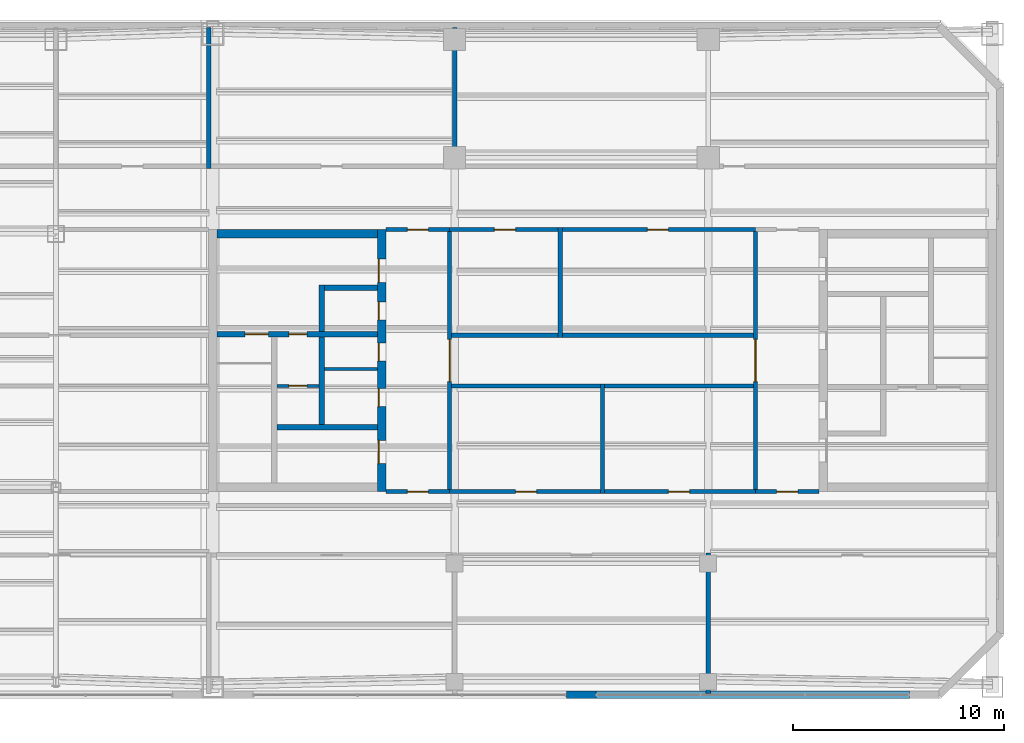
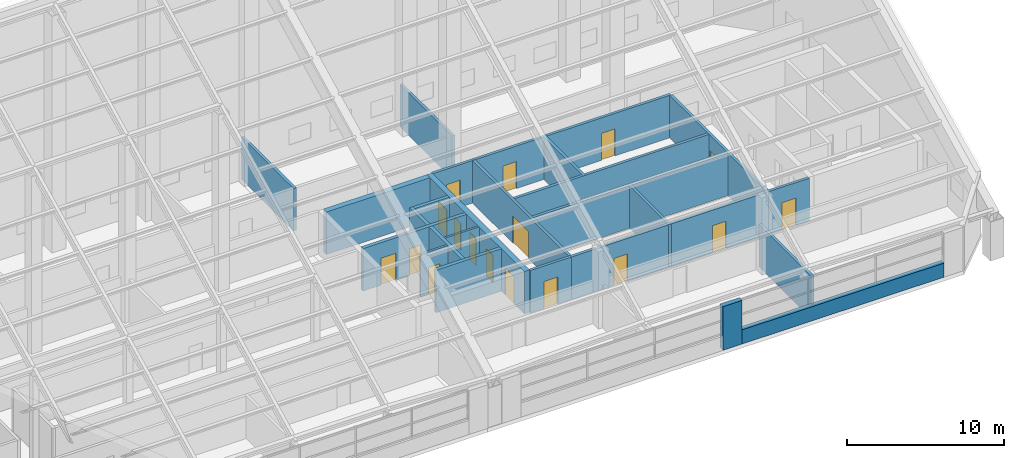
# One storey, part 26 of 28: 25 walls, 17 doors, 17 openings.
"""IFC4 building model written with IfcOpenShell, lengths in metres."""

from ifc_helpers import new_model, si_unit, direction, frame, frame_2d, origin, place, context, subcontext, project, spatial, rectangle, extrude, material, layer, layer_set, type_object, element, fill, save


model = new_model("IFC4")

# Units and contexts
model_context = context("Model", 3, precision=1e-05, world=origin(), true_north=direction((0.0, 1.0)))
body_context = subcontext(model_context, "Body", "Model", "MODEL_VIEW")
ifc_project = project(units=[si_unit("LENGTHUNIT", "METRE"), si_unit("AREAUNIT", "SQUARE_METRE"), si_unit("VOLUMEUNIT", "CUBIC_METRE"), si_unit("PLANEANGLEUNIT", "RADIAN"), si_unit("MASSUNIT", "GRAM", prefix="KILO")], contexts=[model_context])

# Site, building, storey
site_placement = place(None, origin())
site = spatial("IfcSite", under=ifc_project, at=site_placement, CompositionType="ELEMENT")
building_placement = place(site_placement, origin())
building = spatial("IfcBuilding", under=site, at=building_placement, Name="Tuart Gate Housing", CompositionType="ELEMENT")
storey_placement = place(building_placement, frame((0.0, 0.0, 243.89990234375)))
storey = spatial("IfcBuildingStorey", under=building, at=storey_placement, Name="L68", CompositionType="ELEMENT", Elevation=243.89990234375)

# Walls
ifc_material_1 = material(Name="Brick", Category="masonry")
ifc_layer_1 = layer(ifc_material_1, 0.360107421875)
ifc_layer_set_1 = layer_set([ifc_layer_1], Name="Brick pier and spandrel wall 360")
wall_type_1 = type_object("IfcWallType", Name="Brick pier and spandrel wall 360", PredefinedType="STANDARD", material=ifc_layer_set_1)
wall_1_placement = place(storey_placement, frame((148.28759765625, 54.179931640625, 0.0), z_axis=(0.0, 0.0, 1.0), x_axis=(1.0, 0.0, 0.0)))
element("IfcWall", 1, at=wall_1_placement, inside=storey, type_object=wall_type_1, Name="Crown pier 2", PredefinedType="STANDARD", context=body_context, shape_type="SweptSolid", body=[
    extrude(rectangle(XDim=1.400146484375, YDim=0.360107421875, at=frame_2d((0.7001953125, 0.0))), origin(), (0.0, 0.0, 1.0), 3.39013671875),
])
wall_2_placement = place(storey_placement, frame((149.687744140625, 54.179931640625, 0.0), z_axis=(0.0, 0.0, 1.0), x_axis=(1.0, 0.0, 0.0)))
element("IfcWall", 2, at=wall_2_placement, inside=storey, type_object=wall_type_1, Name="Crown sill wall 2", PredefinedType="STANDARD", context=body_context, shape_type="SweptSolid", body=[
    extrude(rectangle(XDim=14.837646484375, YDim=0.360107421875, at=frame_2d((7.4189453125, 0.0))), origin(), (0.0, 0.0, 1.0), 1.10009765625),
])

# Wall, opening, door
ifc_material_2 = material(Name="Plasterboard partition")
ifc_layer_2 = layer(ifc_material_2, 0.14990234375)
ifc_layer_set_2 = layer_set([ifc_layer_2], Name="Core partition 150")
wall_type_2 = type_object("IfcWallType", Name="Core partition 150", PredefinedType="PARTITIONING", material=ifc_layer_set_2)
wall_3_placement = place(storey_placement, frame((136.5849609375, 68.800048828125, 0.0), z_axis=(0.0, 0.0, 1.0), x_axis=(-1.0, 0.0, 0.0)))
wall_3 = element("IfcWall", 3, at=wall_3_placement, inside=storey, type_object=wall_type_2, Name="Core partition BG.2", PredefinedType="PARTITIONING", context=body_context, shape_type="SweptSolid", body=[
    extrude(rectangle(XDim=2.0, YDim=0.14990234375, at=frame_2d((1.0, 0.0))), origin(), (0.0, 0.0, 1.0), 3.300048828125),
])
opening_1_placement = place(wall_3_placement, frame((0.574951171875, 0.0, 0.0)))
opening_1 = element("IfcOpeningElement", 4, at=opening_1_placement, cuts=wall_3, Name="Opening D3305", PredefinedType="OPENING", context=body_context, shape_type="SweptSolid", body=[
    extrude(rectangle(XDim=0.85009765625, YDim=2.10009765625, at=frame_2d((0.425048828125, 1.050048828125))), frame((0.0, 0.0849609375, 0.0), z_axis=(0.0, -1.0, 0.0), x_axis=(1.0, 0.0, 0.0)), (0.0, 0.0, 1.0), 0.169921875),
])
ifc_material_3 = material(Name="Steel fire door", Category="steel")
door_type_1 = type_object("IfcDoorType", Name="Service door 850 x 2100 RH", OperationType="SINGLE_SWING_RIGHT", PredefinedType="DOOR", material=ifc_material_3)
door_1_placement = place(opening_1_placement, frame((0.85009765625, 0.0, 0.0), z_axis=(0.0, 0.0, 1.0), x_axis=(-1.0, 0.0, 0.0)))
door_1 = element("IfcDoor", 5, at=door_1_placement, inside=storey, type_object=door_type_1, Name="Service room door BG.W2", OperationType="SINGLE_SWING_RIGHT", OverallHeight=2.10009765625, OverallWidth=0.85009765625, PredefinedType="DOOR", context=body_context, shape_type="SweptSolid", body=[
    extrude(rectangle(XDim=0.85009765625, YDim=2.10009765625, at=frame_2d((0.425048828125, 1.050048828125))), frame((0.0, 0.025146484375, 0.0), z_axis=(0.0, -1.0, 0.0), x_axis=(1.0, 0.0, 0.0)), (0.0, 0.0, 1.0), 0.050048828125),
])
fill(opening_1, door_1)

# Walls
wall_4_placement = place(storey_placement, frame((139.360107421875, 69.60009765625, 0.0), z_axis=(0.0, 0.0, 1.0), x_axis=(-1.0, 0.0, 0.0)))
element("IfcWall", 6, at=wall_4_placement, inside=storey, type_object=wall_type_2, Name="Core partition BG.3", PredefinedType="PARTITIONING", context=body_context, shape_type="SweptSolid", body=[
    extrude(rectangle(XDim=2.525146484375, YDim=0.14990234375, at=frame_2d((1.2626953125, 0.0))), origin(), (0.0, 0.0, 1.0), 3.300048828125),
])
ifc_material_4 = material(Name="Concrete C40", Category="concrete")
ifc_layer_3 = layer(ifc_material_4, 0.25)
ifc_layer_set_3 = layer_set([ifc_layer_3], Name="Core wall 250 C40")
wall_type_3 = type_object("IfcWallType", Name="Core wall 250 C40", PredefinedType="SHEAR", material=ifc_layer_set_3)
wall_5_placement = place(storey_placement, frame((139.360107421875, 66.85009765625, 0.0), z_axis=(0.0, 0.0, 1.0), x_axis=(-1.0, 0.0, 0.0)))
element("IfcWall", 7, at=wall_5_placement, inside=storey, type_object=wall_type_3, Name="Core wall BG.1", PredefinedType="SHEAR", context=body_context, shape_type="SweptSolid", body=[
    extrude(rectangle(XDim=4.775146484375, YDim=0.25, at=frame_2d((2.3876953125, 0.0))), origin(), (0.0, 0.0, 1.0), 3.300048828125),
])

# Wall, openings, doors
wall_6_placement = place(storey_placement, frame((139.360107421875, 71.25, 0.0), z_axis=(0.0, 0.0, 1.0), x_axis=(-1.0, 0.0, 0.0)))
wall_6 = element("IfcWall", 8, at=wall_6_placement, inside=storey, type_object=wall_type_3, Name="Core wall BG.4", PredefinedType="SHEAR", context=body_context, shape_type="SweptSolid", body=[
    extrude(rectangle(XDim=7.60009765625, YDim=0.25, at=frame_2d((3.800048828125, 0.0))), origin(), (0.0, 0.0, 1.0), 3.300048828125),
])
opening_2_placement = place(wall_6_placement, frame((5.175048828125, 0.0, 0.0)))
opening_2 = element("IfcOpeningElement", 9, at=opening_2_placement, cuts=wall_6, Name="Opening D3295", PredefinedType="OPENING", context=body_context, shape_type="SweptSolid", body=[
    extrude(rectangle(XDim=1.10009765625, YDim=2.10009765625, at=frame_2d((0.550048828125, 1.050048828125))), frame((0.0, 0.135009765625, 0.0), z_axis=(0.0, -1.0, 0.0), x_axis=(1.0, 0.0, 0.0)), (0.0, 0.0, 1.0), 0.27001953125),
])
opening_3_placement = place(wall_6_placement, frame((3.35009765625, 0.0, 0.0)))
opening_3 = element("IfcOpeningElement", 10, at=opening_3_placement, cuts=wall_6, Name="Opening D3294", PredefinedType="OPENING", context=body_context, shape_type="SweptSolid", body=[
    extrude(rectangle(XDim=0.85009765625, YDim=2.10009765625, at=frame_2d((0.425048828125, 1.050048828125))), frame((0.0, 0.135009765625, 0.0), z_axis=(0.0, -1.0, 0.0), x_axis=(1.0, 0.0, 0.0)), (0.0, 0.0, 1.0), 0.27001953125),
])
ifc_material_5 = material(Name="Steel fire door", Category="steel")
door_type_2 = type_object("IfcDoorType", Name="Riser door 850 x 2100", OperationType="SINGLE_SWING_LEFT", PredefinedType="DOOR", material=ifc_material_5)
door_2_placement = place(opening_3_placement, origin())
door_2 = element("IfcDoor", 11, at=door_2_placement, inside=storey, type_object=door_type_2, Name="Service room door BG.W1", OperationType="SINGLE_SWING_LEFT", OverallHeight=2.10009765625, OverallWidth=0.85009765625, PredefinedType="DOOR", context=body_context, shape_type="SweptSolid", body=[
    extrude(rectangle(XDim=0.85009765625, YDim=2.10009765625, at=frame_2d((0.425048828125, 1.050048828125))), frame((0.0, 0.02490234375, 0.0), z_axis=(0.0, -1.0, 0.0), x_axis=(1.0, 0.0, 0.0)), (0.0, 0.0, 1.0), 0.050048828125),
])
fill(opening_3, door_2)
ifc_material_6 = material(Name="Steel fire door", Category="steel")
door_type_3 = type_object("IfcDoorType", Name="Stair door 1100 x 2100", OperationType="SINGLE_SWING_LEFT", PredefinedType="DOOR", material=ifc_material_6)
door_3_placement = place(opening_2_placement, origin())
door_3 = element("IfcDoor", 12, at=door_3_placement, inside=storey, type_object=door_type_3, Name="Stair door BG.SD", OperationType="SINGLE_SWING_LEFT", OverallHeight=2.10009765625, OverallWidth=1.10009765625, PredefinedType="DOOR", context=body_context, shape_type="SweptSolid", body=[
    extrude(rectangle(XDim=1.10009765625, YDim=2.10009765625, at=frame_2d((0.550048828125, 1.050048828125))), frame((0.0, 0.02490234375, 0.0), z_axis=(0.0, -1.0, 0.0), x_axis=(1.0, 0.0, 0.0)), (0.0, 0.0, 1.0), 0.050048828125),
])
fill(opening_2, door_3)

# Walls
wall_7_placement = place(storey_placement, frame((139.360107421875, 73.449951171875, 0.0), z_axis=(0.0, 0.0, 1.0), x_axis=(-1.0, 0.0, 0.0)))
element("IfcWall", 13, at=wall_7_placement, inside=storey, type_object=wall_type_3, Name="Core wall BG.5", PredefinedType="SHEAR", context=body_context, shape_type="SweptSolid", body=[
    extrude(rectangle(XDim=2.525146484375, YDim=0.25, at=frame_2d((1.2626953125, 0.0))), origin(), (0.0, 0.0, 1.0), 3.300048828125),
])
wall_8_placement = place(storey_placement, frame((136.7099609375, 66.97509765625, 0.0), z_axis=(0.0, 0.0, 1.0), x_axis=(0.0, 1.0, 0.0)))
element("IfcWall", 14, at=wall_8_placement, inside=storey, type_object=wall_type_3, Name="Core wall BG.6", PredefinedType="SHEAR", context=body_context, shape_type="SweptSolid", body=[
    extrude(rectangle(XDim=4.14990234375, YDim=0.25, at=frame_2d((2.074951171875, 0.0))), origin(), (0.0, 0.0, 1.0), 3.300048828125),
])
wall_9_placement = place(storey_placement, frame((136.7099609375, 71.375, 0.0), z_axis=(0.0, 0.0, 1.0), x_axis=(0.0, 1.0, 0.0)))
element("IfcWall", 15, at=wall_9_placement, inside=storey, type_object=wall_type_3, Name="Core wall BG.7", PredefinedType="SHEAR", context=body_context, shape_type="SweptSolid", body=[
    extrude(rectangle(XDim=2.199951171875, YDim=0.25, at=frame_2d((1.10009765625, 0.0))), origin(), (0.0, 0.0, 1.0), 3.300048828125),
])

# Wall, openings, doors
ifc_material_7 = material(Name="Concrete C40", Category="concrete")
ifc_layer_4 = layer(ifc_material_7, 0.39990234375)
ifc_layer_set_4 = layer_set([ifc_layer_4], Name="Core wall 400 C40")
wall_type_4 = type_object("IfcWallType", Name="Core wall 400 C40", PredefinedType="SHEAR", material=ifc_layer_set_4)
wall_10_placement = place(storey_placement, frame((139.56005859375, 63.800048828125, 0.0), z_axis=(0.0, 0.0, 1.0), x_axis=(0.0, 1.0, 0.0)))
wall_10 = element("IfcWall", 16, at=wall_10_placement, inside=storey, type_object=wall_type_4, Name="Core wall BG front", PredefinedType="SHEAR", context=body_context, shape_type="SweptSolid", body=[
    extrude(rectangle(XDim=12.39990234375, YDim=0.39990234375, at=frame_2d((6.199951171875, 0.0))), origin(), (0.0, 0.0, 1.0), 3.300048828125),
])
opening_4_placement = place(wall_10_placement, frame((1.324951171875, 0.0, 0.0)))
opening_4 = element("IfcOpeningElement", 17, at=opening_4_placement, cuts=wall_10, Name="Opening LD-FB1", PredefinedType="OPENING", context=body_context, shape_type="SweptSolid", body=[
    extrude(rectangle(XDim=1.10009765625, YDim=2.10009765625, at=frame_2d((0.550048828125, 1.050048828125))), frame((0.0, 0.2099609375, 0.0), z_axis=(0.0, -1.0, 0.0), x_axis=(1.0, 0.0, 0.0)), (0.0, 0.0, 1.0), 0.419921875),
])
opening_5_placement = place(wall_10_placement, frame((4.02490234375, 0.0, 0.0)))
opening_5 = element("IfcOpeningElement", 18, at=opening_5_placement, cuts=wall_10, Name="Opening D3297", PredefinedType="OPENING", context=body_context, shape_type="SweptSolid", body=[
    extrude(rectangle(XDim=0.85009765625, YDim=2.10009765625, at=frame_2d((0.425048828125, 1.050048828125))), frame((0.0, 0.2099609375, 0.0), z_axis=(0.0, -1.0, 0.0), x_axis=(1.0, 0.0, 0.0)), (0.0, 0.0, 1.0), 0.419921875),
])
opening_6_placement = place(wall_10_placement, frame((6.175048828125, 0.0, 0.0)))
opening_6 = element("IfcOpeningElement", 19, at=opening_6_placement, cuts=wall_10, Name="Opening D3298", PredefinedType="OPENING", context=body_context, shape_type="SweptSolid", body=[
    extrude(rectangle(XDim=0.85009765625, YDim=2.10009765625, at=frame_2d((0.425048828125, 1.050048828125))), frame((0.0, 0.2099609375, 0.0), z_axis=(0.0, -1.0, 0.0), x_axis=(1.0, 0.0, 0.0)), (0.0, 0.0, 1.0), 0.419921875),
])
opening_7_placement = place(wall_10_placement, frame((9.89990234375, 0.0, 0.0)))
opening_7 = element("IfcOpeningElement", 20, at=opening_7_placement, cuts=wall_10, Name="Opening D3296", PredefinedType="OPENING", context=body_context, shape_type="SweptSolid", body=[
    extrude(rectangle(XDim=1.10009765625, YDim=2.10009765625, at=frame_2d((0.550048828125, 1.050048828125))), frame((0.0, 0.2099609375, 0.0), z_axis=(0.0, -1.0, 0.0), x_axis=(1.0, 0.0, 0.0)), (0.0, 0.0, 1.0), 0.419921875),
])
opening_8_placement = place(wall_10_placement, frame((8.125, 0.0, 0.0)))
opening_8 = element("IfcOpeningElement", 21, at=opening_8_placement, cuts=wall_10, Name="Opening D3299", PredefinedType="OPENING", context=body_context, shape_type="SweptSolid", body=[
    extrude(rectangle(XDim=0.85009765625, YDim=2.10009765625, at=frame_2d((0.425048828125, 1.050048828125))), frame((0.0, 0.2099609375, 0.0), z_axis=(0.0, -1.0, 0.0), x_axis=(1.0, 0.0, 0.0)), (0.0, 0.0, 1.0), 0.419921875),
])
ifc_material_8 = material(Name="Stainless steel", Category="steel")
door_type_4 = type_object("IfcDoorType", Name="Landing door 1100 x 2100", OperationType="DOUBLE_DOOR_SLIDING", PredefinedType="DOOR", material=ifc_material_8)
door_4_placement = place(opening_4_placement, origin())
door_4 = element("IfcDoor", 22, at=door_4_placement, inside=storey, type_object=door_type_4, Name="Lift landing door FB1", OperationType="DOUBLE_DOOR_SLIDING", OverallHeight=2.10009765625, OverallWidth=1.10009765625, PredefinedType="DOOR", context=body_context, shape_type="SweptSolid", body=[
    extrude(rectangle(XDim=1.10009765625, YDim=2.10009765625, at=frame_2d((0.550048828125, 1.050048828125))), frame((0.0, 0.18505859375, 0.0), z_axis=(0.0, -1.0, 0.0), x_axis=(1.0, 0.0, 0.0)), (0.0, 0.0, 1.0), 0.050048828125),
])
fill(opening_4, door_4)
ifc_material_9 = material(Name="Steel fire door", Category="steel")
door_type_5 = type_object("IfcDoorType", Name="Lobby door 1100 x 2100", OperationType="SINGLE_SWING_LEFT", PredefinedType="DOOR", material=ifc_material_9)
door_5_placement = place(opening_7_placement, origin())
door_5 = element("IfcDoor", 23, at=door_5_placement, inside=storey, type_object=door_type_5, Name="Lobby entry door BG.EN", OperationType="SINGLE_SWING_LEFT", OverallHeight=2.10009765625, OverallWidth=1.10009765625, PredefinedType="DOOR", context=body_context, shape_type="SweptSolid", body=[
    extrude(rectangle(XDim=1.10009765625, YDim=2.10009765625, at=frame_2d((0.550048828125, 1.050048828125))), frame((0.0, 0.18505859375, 0.0), z_axis=(0.0, -1.0, 0.0), x_axis=(1.0, 0.0, 0.0)), (0.0, 0.0, 1.0), 0.050048828125),
])
fill(opening_7, door_5)
ifc_material_10 = material(Name="Steel fire door", Category="steel")
door_type_6 = type_object("IfcDoorType", Name="Service door 850 x 2100", OperationType="SINGLE_SWING_LEFT", PredefinedType="DOOR", material=ifc_material_10)
door_6_placement = place(opening_5_placement, origin())
door_6 = element("IfcDoor", 24, at=door_6_placement, inside=storey, type_object=door_type_6, Name="Service room door BG.FR1", OperationType="SINGLE_SWING_LEFT", OverallHeight=2.10009765625, OverallWidth=0.85009765625, PredefinedType="DOOR", context=body_context, shape_type="SweptSolid", body=[
    extrude(rectangle(XDim=0.85009765625, YDim=2.10009765625, at=frame_2d((0.425048828125, 1.050048828125))), frame((0.0, 0.18505859375, 0.0), z_axis=(0.0, -1.0, 0.0), x_axis=(1.0, 0.0, 0.0)), (0.0, 0.0, 1.0), 0.050048828125),
])
fill(opening_5, door_6)
door_7_placement = place(opening_6_placement, origin())
door_7 = element("IfcDoor", 25, at=door_7_placement, inside=storey, type_object=door_type_6, Name="Service room door BG.FR2", OperationType="SINGLE_SWING_LEFT", OverallHeight=2.10009765625, OverallWidth=0.85009765625, PredefinedType="DOOR", context=body_context, shape_type="SweptSolid", body=[
    extrude(rectangle(XDim=0.85009765625, YDim=2.10009765625, at=frame_2d((0.425048828125, 1.050048828125))), frame((0.0, 0.18505859375, 0.0), z_axis=(0.0, -1.0, 0.0), x_axis=(1.0, 0.0, 0.0)), (0.0, 0.0, 1.0), 0.050048828125),
])
fill(opening_6, door_7)
door_8_placement = place(opening_8_placement, origin())
door_8 = element("IfcDoor", 26, at=door_8_placement, inside=storey, type_object=door_type_6, Name="Service room door BG.T1", OperationType="SINGLE_SWING_LEFT", OverallHeight=2.10009765625, OverallWidth=0.85009765625, PredefinedType="DOOR", context=body_context, shape_type="SweptSolid", body=[
    extrude(rectangle(XDim=0.85009765625, YDim=2.10009765625, at=frame_2d((0.425048828125, 1.050048828125))), frame((0.0, 0.18505859375, 0.0), z_axis=(0.0, -1.0, 0.0), x_axis=(1.0, 0.0, 0.0)), (0.0, 0.0, 1.0), 0.050048828125),
])
fill(opening_8, door_8)

# Wall
wall_11_placement = place(storey_placement, frame((139.360107421875, 76.0, 0.0), z_axis=(0.0, 0.0, 1.0), x_axis=(-1.0, 0.0, 0.0)))
element("IfcWall", 27, at=wall_11_placement, inside=storey, type_object=wall_type_4, Name="Core wall BG north", PredefinedType="SHEAR", context=body_context, shape_type="SweptSolid", body=[
    extrude(rectangle(XDim=7.60009765625, YDim=0.39990234375, at=frame_2d((3.800048828125, 0.0))), origin(), (0.0, 0.0, 1.0), 3.300048828125),
])

# Wall, openings, doors
ifc_material_11 = material(Name="Concrete masonry 15 MPa", Category="masonry")
ifc_layer_5 = layer(ifc_material_11, 0.199951171875)
ifc_layer_set_5 = layer_set([ifc_layer_5], Name="Enclosure wall masonry 200")
wall_type_5 = type_object("IfcWallType", Name="Enclosure wall masonry 200", PredefinedType="PARTITIONING", material=ifc_layer_set_5)
wall_12_placement = place(storey_placement, frame((142.760009765625, 63.800048828125, 0.0), z_axis=(0.0, 0.0, 1.0), x_axis=(1.0, 0.0, 0.0)))
wall_12 = element("IfcWall", 28, at=wall_12_placement, inside=storey, type_object=wall_type_5, Name="Enclosure wall masonry 200", PredefinedType="PARTITIONING", context=body_context, shape_type="SweptSolid", body=[
    extrude(rectangle(XDim=14.47998046875, YDim=0.199951171875, at=frame_2d((7.239990234375, 0.0))), origin(), (0.0, 0.0, 1.0), 3.300048828125),
])
opening_9_placement = place(wall_12_placement, frame((3.1201171875, 0.0, 0.0)))
opening_9 = element("IfcOpeningElement", 29, at=opening_9_placement, cuts=wall_12, Name="Opening D3309", PredefinedType="OPENING", context=body_context, shape_type="SweptSolid", body=[
    extrude(rectangle(XDim=1.0, YDim=2.10009765625, at=frame_2d((0.5, 1.050048828125))), frame((0.0, 0.10986328125, 0.0), z_axis=(0.0, -1.0, 0.0), x_axis=(1.0, 0.0, 0.0)), (0.0, 0.0, 1.0), 0.219970703125),
])
opening_10_placement = place(wall_12_placement, frame((10.360107421875, 0.0, 0.0)))
opening_10 = element("IfcOpeningElement", 30, at=opening_10_placement, cuts=wall_12, Name="Opening D3310", PredefinedType="OPENING", context=body_context, shape_type="SweptSolid", body=[
    extrude(rectangle(XDim=1.0, YDim=2.10009765625, at=frame_2d((0.5, 1.050048828125))), frame((0.0, 0.10986328125, 0.0), z_axis=(0.0, -1.0, 0.0), x_axis=(1.0, 0.0, 0.0)), (0.0, 0.0, 1.0), 0.219970703125),
])
ifc_material_12 = material(Name="Timber door leaf in steel frame", Category="steel")
door_type_7 = type_object("IfcDoorType", Name="Fire door 1000", OperationType="SINGLE_SWING_LEFT", PredefinedType="DOOR", material=ifc_material_12)
door_9_placement = place(opening_9_placement, origin())
door_9 = element("IfcDoor", 31, at=door_9_placement, inside=storey, type_object=door_type_7, Name="Fire door 1000", OperationType="SINGLE_SWING_LEFT", OverallHeight=2.10009765625, OverallWidth=1.0, PredefinedType="DOOR", context=body_context, shape_type="SweptSolid", body=[
    extrude(rectangle(XDim=1.0, YDim=2.10009765625, at=frame_2d((0.5, 1.050048828125))), frame((0.0, 0.02490234375, 0.0), z_axis=(0.0, -1.0, 0.0), x_axis=(1.0, 0.0, 0.0)), (0.0, 0.0, 1.0), 0.050048828125),
])
fill(opening_9, door_9)
door_10_placement = place(opening_10_placement, origin())
door_10 = element("IfcDoor", 32, at=door_10_placement, inside=storey, type_object=door_type_7, Name="Fire door 1000", OperationType="SINGLE_SWING_LEFT", OverallHeight=2.10009765625, OverallWidth=1.0, PredefinedType="DOOR", context=body_context, shape_type="SweptSolid", body=[
    extrude(rectangle(XDim=1.0, YDim=2.10009765625, at=frame_2d((0.5, 1.050048828125))), frame((0.0, 0.02490234375, 0.0), z_axis=(0.0, -1.0, 0.0), x_axis=(1.0, 0.0, 0.0)), (0.0, 0.0, 1.0), 0.050048828125),
])
fill(opening_10, door_10)

# Wall, opening, door
wall_13_placement = place(storey_placement, frame((139.760009765625, 63.800048828125, 0.0), z_axis=(0.0, 0.0, 1.0), x_axis=(1.0, 0.0, 0.0)))
wall_13 = element("IfcWall", 33, at=wall_13_placement, inside=storey, type_object=wall_type_5, Name="Enclosure wall masonry 200", PredefinedType="PARTITIONING", context=body_context, shape_type="SweptSolid", body=[
    extrude(rectangle(XDim=3.0, YDim=0.199951171875, at=frame_2d((1.5, 0.0))), origin(), (0.0, 0.0, 1.0), 3.300048828125),
])
opening_11_placement = place(wall_13_placement, frame((1.0, 0.0, 0.0)))
opening_11 = element("IfcOpeningElement", 34, at=opening_11_placement, cuts=wall_13, Name="Opening D3308", PredefinedType="OPENING", context=body_context, shape_type="SweptSolid", body=[
    extrude(rectangle(XDim=1.0, YDim=2.10009765625, at=frame_2d((0.5, 1.050048828125))), frame((0.0, 0.10986328125, 0.0), z_axis=(0.0, -1.0, 0.0), x_axis=(1.0, 0.0, 0.0)), (0.0, 0.0, 1.0), 0.219970703125),
])
ifc_material_13 = material(Name="Timber door leaf in steel frame", Category="steel")
door_type_8 = type_object("IfcDoorType", Name="Lobby door 1000 RH", OperationType="SINGLE_SWING_RIGHT", PredefinedType="DOOR", material=ifc_material_13)
door_11_placement = place(opening_11_placement, origin())
door_11 = element("IfcDoor", 35, at=door_11_placement, inside=storey, type_object=door_type_8, Name="Lobby door 1000", OperationType="SINGLE_SWING_RIGHT", OverallHeight=2.10009765625, OverallWidth=1.0, PredefinedType="DOOR", context=body_context, shape_type="SweptSolid", body=[
    extrude(rectangle(XDim=1.0, YDim=2.10009765625, at=frame_2d((0.5, 1.050048828125))), frame((0.0, 0.02490234375, 0.0), z_axis=(0.0, -1.0, 0.0), x_axis=(1.0, 0.0, 0.0)), (0.0, 0.0, 1.0), 0.050048828125),
])
fill(opening_11, door_11)

wall_14_placement = place(storey_placement, frame((157.239990234375, 63.800048828125, 0.0), z_axis=(0.0, 0.0, 1.0), x_axis=(1.0, 0.0, 0.0)))
wall_14 = element("IfcWall", 36, at=wall_14_placement, inside=storey, type_object=wall_type_5, Name="Enclosure wall masonry 200", PredefinedType="PARTITIONING", context=body_context, shape_type="SweptSolid", body=[
    extrude(rectangle(XDim=3.0, YDim=0.199951171875, at=frame_2d((1.5, 0.0))), origin(), (0.0, 0.0, 1.0), 3.300048828125),
])
opening_12_placement = place(wall_14_placement, frame((1.0, 0.0, 0.0)))
opening_12 = element("IfcOpeningElement", 37, at=opening_12_placement, cuts=wall_14, Name="Opening D3311", PredefinedType="OPENING", context=body_context, shape_type="SweptSolid", body=[
    extrude(rectangle(XDim=1.0, YDim=2.10009765625, at=frame_2d((0.5, 1.050048828125))), frame((0.0, 0.10986328125, 0.0), z_axis=(0.0, -1.0, 0.0), x_axis=(1.0, 0.0, 0.0)), (0.0, 0.0, 1.0), 0.219970703125),
])
ifc_material_14 = material(Name="Timber door leaf in steel frame", Category="steel")
door_type_9 = type_object("IfcDoorType", Name="Lobby door 1000", OperationType="SINGLE_SWING_LEFT", PredefinedType="DOOR", material=ifc_material_14)
door_12_placement = place(opening_12_placement, origin())
door_12 = element("IfcDoor", 38, at=door_12_placement, inside=storey, type_object=door_type_9, Name="Lobby door 1000", OperationType="SINGLE_SWING_LEFT", OverallHeight=2.10009765625, OverallWidth=1.0, PredefinedType="DOOR", context=body_context, shape_type="SweptSolid", body=[
    extrude(rectangle(XDim=1.0, YDim=2.10009765625, at=frame_2d((0.5, 1.050048828125))), frame((0.0, 0.02490234375, 0.0), z_axis=(0.0, -1.0, 0.0), x_axis=(1.0, 0.0, 0.0)), (0.0, 0.0, 1.0), 0.050048828125),
])
fill(opening_12, door_12)

# Walls
for number, where, z_axis, x_axis, name in (
    (39, (142.760009765625, 68.800048828125, 0.0), (0.0, 0.0, 1.0), (1.0, 0.0, 0.0), "Enclosure wall masonry 200"),
    (40, (142.760009765625, 71.199951171875, 0.0), (0.0, 0.0, 1.0), (1.0, 0.0, 0.0), "Enclosure wall masonry 200"),
):
    element("IfcWall", number, at=place(storey_placement, frame(where, z_axis=z_axis, x_axis=x_axis)), inside=storey, type_object=wall_type_5, Name=name, PredefinedType="PARTITIONING", context=body_context, shape_type="SweptSolid", body=[
        extrude(rectangle(XDim=14.47998046875, YDim=0.199951171875, at=frame_2d((7.239990234375, 0.0))), origin(), (0.0, 0.0, 1.0), 3.300048828125),
    ])

# Wall, openings, doors
wall_15_placement = place(storey_placement, frame((142.760009765625, 76.199951171875, 0.0), z_axis=(0.0, 0.0, 1.0), x_axis=(1.0, 0.0, 0.0)))
wall_15 = element("IfcWall", 41, at=wall_15_placement, inside=storey, type_object=wall_type_5, Name="Enclosure wall masonry 200", PredefinedType="PARTITIONING", context=body_context, shape_type="SweptSolid", body=[
    extrude(rectangle(XDim=14.47998046875, YDim=0.199951171875, at=frame_2d((7.239990234375, 0.0))), origin(), (0.0, 0.0, 1.0), 3.300048828125),
])
opening_13_placement = place(wall_15_placement, frame((2.1201171875, 0.0, 0.0)))
opening_13 = element("IfcOpeningElement", 42, at=opening_13_placement, cuts=wall_15, Name="Opening D3291", PredefinedType="OPENING", context=body_context, shape_type="SweptSolid", body=[
    extrude(rectangle(XDim=1.0, YDim=2.10009765625, at=frame_2d((0.5, 1.050048828125))), frame((0.0, 0.10986328125, 0.0), z_axis=(0.0, -1.0, 0.0), x_axis=(1.0, 0.0, 0.0)), (0.0, 0.0, 1.0), 0.219970703125),
])
opening_14_placement = place(wall_15_placement, frame((9.360107421875, 0.0, 0.0)))
opening_14 = element("IfcOpeningElement", 43, at=opening_14_placement, cuts=wall_15, Name="Opening D3292", PredefinedType="OPENING", context=body_context, shape_type="SweptSolid", body=[
    extrude(rectangle(XDim=1.0, YDim=2.10009765625, at=frame_2d((0.5, 1.050048828125))), frame((0.0, 0.10986328125, 0.0), z_axis=(0.0, -1.0, 0.0), x_axis=(1.0, 0.0, 0.0)), (0.0, 0.0, 1.0), 0.219970703125),
])
ifc_material_15 = material(Name="Timber door leaf in steel frame", Category="steel")
door_type_10 = type_object("IfcDoorType", Name="Fire door 1000 RH", OperationType="SINGLE_SWING_RIGHT", PredefinedType="DOOR", material=ifc_material_15)
door_13_placement = place(opening_13_placement, frame((1.0, 0.0, 0.0), z_axis=(0.0, 0.0, 1.0), x_axis=(-1.0, 0.0, 0.0)))
door_13 = element("IfcDoor", 44, at=door_13_placement, inside=storey, type_object=door_type_10, Name="Fire door 1000", OperationType="SINGLE_SWING_RIGHT", OverallHeight=2.10009765625, OverallWidth=1.0, PredefinedType="DOOR", context=body_context, shape_type="SweptSolid", body=[
    extrude(rectangle(XDim=1.0, YDim=2.10009765625, at=frame_2d((0.5, 1.050048828125))), frame((0.0, 0.025146484375, 0.0), z_axis=(0.0, -1.0, 0.0), x_axis=(1.0, 0.0, 0.0)), (0.0, 0.0, 1.0), 0.050048828125),
])
fill(opening_13, door_13)
door_14_placement = place(opening_14_placement, frame((1.0, 0.0, 0.0), z_axis=(0.0, 0.0, 1.0), x_axis=(-1.0, 0.0, 0.0)))
door_14 = element("IfcDoor", 45, at=door_14_placement, inside=storey, type_object=door_type_10, Name="Fire door 1000", OperationType="SINGLE_SWING_RIGHT", OverallHeight=2.10009765625, OverallWidth=1.0, PredefinedType="DOOR", context=body_context, shape_type="SweptSolid", body=[
    extrude(rectangle(XDim=1.0, YDim=2.10009765625, at=frame_2d((0.5, 1.050048828125))), frame((0.0, 0.025146484375, 0.0), z_axis=(0.0, -1.0, 0.0), x_axis=(1.0, 0.0, 0.0)), (0.0, 0.0, 1.0), 0.050048828125),
])
fill(opening_14, door_14)

# Wall, opening, door
wall_16_placement = place(storey_placement, frame((139.760009765625, 76.199951171875, 0.0), z_axis=(0.0, 0.0, 1.0), x_axis=(1.0, 0.0, 0.0)))
wall_16 = element("IfcWall", 46, at=wall_16_placement, inside=storey, type_object=wall_type_5, Name="Enclosure wall masonry 200", PredefinedType="PARTITIONING", context=body_context, shape_type="SweptSolid", body=[
    extrude(rectangle(XDim=3.0, YDim=0.199951171875, at=frame_2d((1.5, 0.0))), origin(), (0.0, 0.0, 1.0), 3.300048828125),
])
opening_15_placement = place(wall_16_placement, frame((1.0, 0.0, 0.0)))
opening_15 = element("IfcOpeningElement", 47, at=opening_15_placement, cuts=wall_16, Name="Opening D3290", PredefinedType="OPENING", context=body_context, shape_type="SweptSolid", body=[
    extrude(rectangle(XDim=1.0, YDim=2.10009765625, at=frame_2d((0.5, 1.050048828125))), frame((0.0, 0.10986328125, 0.0), z_axis=(0.0, -1.0, 0.0), x_axis=(1.0, 0.0, 0.0)), (0.0, 0.0, 1.0), 0.219970703125),
])
door_15_placement = place(opening_15_placement, frame((1.0, 0.0, 0.0), z_axis=(0.0, 0.0, 1.0), x_axis=(-1.0, 0.0, 0.0)))
door_15 = element("IfcDoor", 48, at=door_15_placement, inside=storey, type_object=door_type_9, Name="Lobby door 1000", OperationType="SINGLE_SWING_LEFT", OverallHeight=2.10009765625, OverallWidth=1.0, PredefinedType="DOOR", context=body_context, shape_type="SweptSolid", body=[
    extrude(rectangle(XDim=1.0, YDim=2.10009765625, at=frame_2d((0.5, 1.050048828125))), frame((0.0, 0.025146484375, 0.0), z_axis=(0.0, -1.0, 0.0), x_axis=(1.0, 0.0, 0.0)), (0.0, 0.0, 1.0), 0.050048828125),
])
fill(opening_15, door_15)

# Walls
for number, where, z_axis, x_axis, name in (
    (49, (131.360107421875, 79.10009765625, 0.0), (0.0, 0.0, 1.0), (0.0, 1.0, 0.0), "Enclosure wall masonry 200"),
    (50, (143.0, 79.10009765625, 0.0), (0.0, 0.0, 1.0), (0.0, 1.0, 0.0), "Enclosure wall masonry 200"),
):
    element("IfcWall", number, at=place(storey_placement, frame(where, z_axis=z_axis, x_axis=x_axis)), inside=storey, type_object=wall_type_5, Name=name, PredefinedType="PARTITIONING", context=body_context, shape_type="SweptSolid", body=[
        extrude(rectangle(XDim=6.659912109375, YDim=0.199951171875, at=frame_2d((3.330078125, 0.0))), origin(), (0.0, 0.0, 1.0), 3.300048828125),
    ])
for number, where, z_axis, x_axis, name in (
    (51, (148.0, 71.10009765625, 0.0), (0.0, 0.0, 1.0), (0.0, 1.0, 0.0), "Enclosure wall masonry 200"),
    (52, (150.0, 63.699951171875, 0.0), (0.0, 0.0, 1.0), (0.0, 1.0, 0.0), "Enclosure wall masonry 200"),
):
    element("IfcWall", number, at=place(storey_placement, frame(where, z_axis=z_axis, x_axis=x_axis)), inside=storey, type_object=wall_type_5, Name=name, PredefinedType="PARTITIONING", context=body_context, shape_type="SweptSolid", body=[
        extrude(rectangle(XDim=5.199951171875, YDim=0.199951171875, at=frame_2d((2.60009765625, 0.0))), origin(), (0.0, 0.0, 1.0), 3.300048828125),
    ])
wall_17_placement = place(storey_placement, frame((155.0, 54.239990234375, 0.0), z_axis=(0.0, 0.0, 1.0), x_axis=(0.0, 1.0, 0.0)))
element("IfcWall", 53, at=wall_17_placement, inside=storey, type_object=wall_type_5, Name="Enclosure wall masonry 200", PredefinedType="PARTITIONING", context=body_context, shape_type="SweptSolid", body=[
    extrude(rectangle(XDim=6.659912109375, YDim=0.199951171875, at=frame_2d((3.330078125, 0.0))), origin(), (0.0, 0.0, 1.0), 3.300048828125),
])

# Wall, opening, door
ifc_material_16 = material(Name="Plasterboard partition")
ifc_layer_6 = layer(ifc_material_16, 0.199951171875)
ifc_layer_set_6 = layer_set([ifc_layer_6], Name="Lobby wall 200")
wall_type_6 = type_object("IfcWallType", Name="Lobby wall 200", PredefinedType="PARTITIONING", material=ifc_layer_set_6)
wall_18_placement = place(storey_placement, frame((142.760009765625, 63.89990234375, 0.0), z_axis=(0.0, 0.0, 1.0), x_axis=(0.0, 1.0, 0.0)))
wall_18 = element("IfcWall", 54, at=wall_18_placement, inside=storey, type_object=wall_type_6, Name="Lift lobby wall BG", PredefinedType="PARTITIONING", context=body_context, shape_type="SweptSolid", body=[
    extrude(rectangle(XDim=12.2001953125, YDim=0.199951171875, at=frame_2d((6.10009765625, 0.0))), origin(), (0.0, 0.0, 1.0), 3.300048828125),
])
opening_16_placement = place(wall_18_placement, frame((5.10009765625, 0.0, 0.0)))
opening_16 = element("IfcOpeningElement", 55, at=opening_16_placement, cuts=wall_18, Name="Opening D3300", PredefinedType="OPENING", context=body_context, shape_type="SweptSolid", body=[
    extrude(rectangle(XDim=2.0, YDim=2.10009765625, at=frame_2d((1.0, 1.050048828125))), frame((0.0, 0.10986328125, 0.0), z_axis=(0.0, -1.0, 0.0), x_axis=(1.0, 0.0, 0.0)), (0.0, 0.0, 1.0), 0.219970703125),
])
ifc_material_17 = material(Name="Steel fire door", Category="steel")
door_type_11 = type_object("IfcDoorType", Name="Smoke door 2000 x 2100", OperationType="DOUBLE_DOOR_SINGLE_SWING", PredefinedType="DOOR", material=ifc_material_17)
door_16_placement = place(opening_16_placement, origin())
door_16 = element("IfcDoor", 56, at=door_16_placement, inside=storey, type_object=door_type_11, Name="Lift lobby smoke door BG", OperationType="DOUBLE_DOOR_SINGLE_SWING", OverallHeight=2.10009765625, OverallWidth=2.0, PredefinedType="DOOR", context=body_context, shape_type="SweptSolid", body=[
    extrude(rectangle(XDim=2.0, YDim=2.10009765625, at=frame_2d((1.0, 1.050048828125))), frame((0.0, 0.02490234375, 0.0), z_axis=(0.0, -1.0, 0.0), x_axis=(1.0, 0.0, 0.0)), (0.0, 0.0, 1.0), 0.050048828125),
])
fill(opening_16, door_16)

wall_19_placement = place(storey_placement, frame((157.239990234375, 63.89990234375, 0.0), z_axis=(0.0, 0.0, 1.0), x_axis=(0.0, 1.0, 0.0)))
wall_19 = element("IfcWall", 57, at=wall_19_placement, inside=storey, type_object=wall_type_6, Name="Lift lobby wall BK", PredefinedType="PARTITIONING", context=body_context, shape_type="SweptSolid", body=[
    extrude(rectangle(XDim=12.2001953125, YDim=0.199951171875, at=frame_2d((6.10009765625, 0.0))), origin(), (0.0, 0.0, 1.0), 3.300048828125),
])
opening_17_placement = place(wall_19_placement, frame((5.10009765625, 0.0, 0.0)))
opening_17 = element("IfcOpeningElement", 58, at=opening_17_placement, cuts=wall_19, Name="Opening D3301", PredefinedType="OPENING", context=body_context, shape_type="SweptSolid", body=[
    extrude(rectangle(XDim=2.0, YDim=2.10009765625, at=frame_2d((1.0, 1.050048828125))), frame((0.0, 0.10986328125, 0.0), z_axis=(0.0, -1.0, 0.0), x_axis=(1.0, 0.0, 0.0)), (0.0, 0.0, 1.0), 0.219970703125),
])
door_17_placement = place(opening_17_placement, frame((2.0, 0.0, 0.0), z_axis=(0.0, 0.0, 1.0), x_axis=(-1.0, 0.0, 0.0)))
door_17 = element("IfcDoor", 59, at=door_17_placement, inside=storey, type_object=door_type_11, Name="Lift lobby smoke door BK", OperationType="DOUBLE_DOOR_SINGLE_SWING", OverallHeight=2.10009765625, OverallWidth=2.0, PredefinedType="DOOR", context=body_context, shape_type="SweptSolid", body=[
    extrude(rectangle(XDim=2.0, YDim=2.10009765625, at=frame_2d((1.0, 1.050048828125))), frame((0.0, 0.025146484375, 0.0), z_axis=(0.0, -1.0, 0.0), x_axis=(1.0, 0.0, 0.0)), (0.0, 0.0, 1.0), 0.050048828125),
])
fill(opening_17, door_17)

save(model, "model.ifc")
